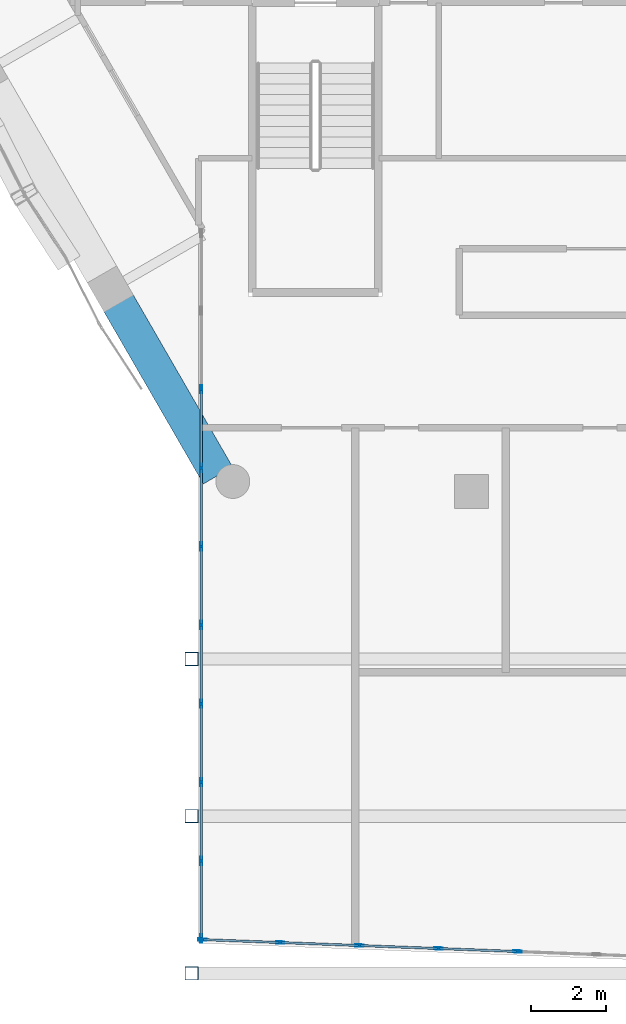
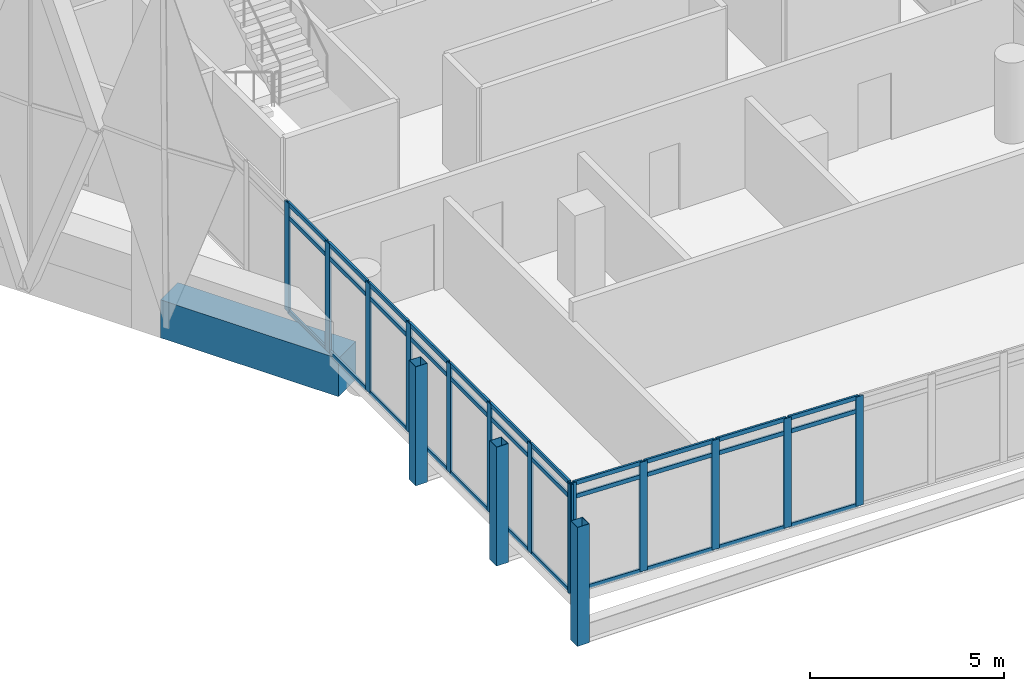
# One storey, part 2 of 37: 49 members, 1 beam, 2 elements without a shape of their own.
"""IFC4 building model written with IfcOpenShell, lengths in metres."""

from ifc_helpers import new_model, si_unit, direction, frame, origin, origin_2d, place, context, subcontext, project, spatial, rectangle, hollow_rectangle, extrude, material, material_profile, profile_set, type_object, element, aggregate, save


model = new_model("IFC4")

# Units and contexts
model_context = context("Model", 3, precision=1e-05, world=origin(), true_north=direction((0.0, 1.0)))
body_context = subcontext(model_context, "Body", "Model", "MODEL_VIEW")
ifc_project = project(units=[si_unit("LENGTHUNIT", "METRE"), si_unit("AREAUNIT", "SQUARE_METRE"), si_unit("VOLUMEUNIT", "CUBIC_METRE"), si_unit("PLANEANGLEUNIT", "RADIAN"), si_unit("MASSUNIT", "GRAM", prefix="KILO")], contexts=[model_context])

# Site, building, storey
site_placement = place(None, origin())
site = spatial("IfcSite", under=ifc_project, at=site_placement, CompositionType="ELEMENT")
building_placement = place(site_placement, origin())
building = spatial("IfcBuilding", under=site, at=building_placement, Name="Ostrander Bayou Hotel Tower", CompositionType="ELEMENT")
storey_placement = place(building_placement, frame((0.0, 0.0, 225.75)))
storey = spatial("IfcBuildingStorey", under=building, at=storey_placement, Name="L56", CompositionType="ELEMENT", Elevation=225.75)

# Curtain wall, members
ifc_material_1 = material(Name="Aluminium and clear glass", Category="aluminium")
curtain_wall_type = type_object("IfcCurtainWallType", Name="CW-BAR glazed wall", PredefinedType="NOTDEFINED", material=ifc_material_1)
curtain_wall_1_placement = place(storey_placement, origin())
curtain_wall_1 = element("IfcCurtainWall", 1, at=curtain_wall_1_placement, inside=storey, type_object=curtain_wall_type, Name="CW-BAR L56:SB5S:E", PredefinedType="NOTDEFINED")
ifc_material_2 = material(Name="Aluminium", Category="aluminium")
ifc_material_profile_1 = material_profile(ifc_material_2, hollow_rectangle(XDim=0.06005859375, YDim=0.219970703125, WallThickness=0.00390625, at=origin_2d()))
ifc_profile_set_1 = profile_set([ifc_material_profile_1], Name="Aluminium")
member_type_1 = type_object("IfcMemberType", Name="CW-BR mullion 60 x 220 mm", PredefinedType="MULLION", material=ifc_profile_set_1)
member_1_placement = place(storey_placement, frame((-10.51220703125, -13.972412109375, 0.0), z_axis=(0.0, 0.0, 1.0), x_axis=(1.0, 0.0, 0.0)))
member_1 = element("IfcMember", 2, at=member_1_placement, type_object=member_type_1, Name="CW-BAR mullion 3", PredefinedType="MULLION", context=body_context, shape_type="SweptSolid", body=[
    extrude(hollow_rectangle(XDim=0.06005859375, YDim=0.219970703125, WallThickness=0.00390625, at=origin_2d()), origin(), (0.0, 0.0, 1.0), 3.449951171875),
])
member_2_placement = place(storey_placement, frame((-10.51220703125, -16.0625, 0.0), z_axis=(0.0, 0.0, 1.0), x_axis=(1.0, 0.0, 0.0)))
member_2 = element("IfcMember", 3, at=member_2_placement, type_object=member_type_1, Name="CW-BAR mullion 4", PredefinedType="MULLION", context=body_context, shape_type="SweptSolid", body=[
    extrude(hollow_rectangle(XDim=0.06005859375, YDim=0.219970703125, WallThickness=0.00390625, at=origin_2d()), origin(), (0.0, 0.0, 1.0), 3.449951171875),
])
member_3_placement = place(storey_placement, frame((-10.51220703125, -18.152587890625, 0.0), z_axis=(0.0, 0.0, 1.0), x_axis=(1.0, 0.0, 0.0)))
member_3 = element("IfcMember", 4, at=member_3_placement, type_object=member_type_1, Name="CW-BAR mullion 5", PredefinedType="MULLION", context=body_context, shape_type="SweptSolid", body=[
    extrude(hollow_rectangle(XDim=0.06005859375, YDim=0.219970703125, WallThickness=0.00390625, at=origin_2d()), origin(), (0.0, 0.0, 1.0), 3.449951171875),
])
member_4_placement = place(storey_placement, frame((-10.51220703125, -20.24267578125, 0.0), z_axis=(0.0, 0.0, 1.0), x_axis=(1.0, 0.0, 0.0)))
member_4 = element("IfcMember", 5, at=member_4_placement, type_object=member_type_1, Name="CW-BAR mullion 6", PredefinedType="MULLION", context=body_context, shape_type="SweptSolid", body=[
    extrude(hollow_rectangle(XDim=0.06005859375, YDim=0.219970703125, WallThickness=0.00390625, at=origin_2d()), origin(), (0.0, 0.0, 1.0), 3.449951171875),
])
member_5_placement = place(storey_placement, frame((-10.51220703125, -22.33251953125, 0.0), z_axis=(0.0, 0.0, 1.0), x_axis=(1.0, 0.0, 0.0)))
member_5 = element("IfcMember", 6, at=member_5_placement, type_object=member_type_1, Name="CW-BAR mullion 7", PredefinedType="MULLION", context=body_context, shape_type="SweptSolid", body=[
    extrude(hollow_rectangle(XDim=0.06005859375, YDim=0.219970703125, WallThickness=0.00390625, at=origin_2d()), origin(), (0.0, 0.0, 1.0), 3.449951171875),
])
member_6_placement = place(storey_placement, frame((-10.51220703125, -24.422607421875, 0.0), z_axis=(0.0, 0.0, 1.0), x_axis=(1.0, 0.0, 0.0)))
member_6 = element("IfcMember", 7, at=member_6_placement, type_object=member_type_1, Name="CW-BAR mullion 8", PredefinedType="MULLION", context=body_context, shape_type="SweptSolid", body=[
    extrude(hollow_rectangle(XDim=0.06005859375, YDim=0.219970703125, WallThickness=0.00390625, at=origin_2d()), origin(), (0.0, 0.0, 1.0), 3.449951171875),
])
member_7_placement = place(storey_placement, frame((-10.51220703125, -26.5126953125, 0.0), z_axis=(0.0, 0.0, 1.0), x_axis=(1.0, 0.0, 0.0)))
member_7 = element("IfcMember", 8, at=member_7_placement, type_object=member_type_1, Name="CW-BAR mullion 9", PredefinedType="MULLION", context=body_context, shape_type="SweptSolid", body=[
    extrude(hollow_rectangle(XDim=0.06005859375, YDim=0.219970703125, WallThickness=0.00390625, at=origin_2d()), origin(), (0.0, 0.0, 1.0), 3.449951171875),
])
member_8_placement = place(storey_placement, frame((-10.51220703125, -28.57275390625, 0.0), z_axis=(0.0, 0.0, 1.0), x_axis=(1.0, 0.0, 0.0)))
member_8 = element("IfcMember", 9, at=member_8_placement, type_object=member_type_1, Name="CW-BAR mullion 10", PredefinedType="MULLION", context=body_context, shape_type="SweptSolid", body=[
    extrude(hollow_rectangle(XDim=0.06005859375, YDim=0.219970703125, WallThickness=0.00390625, at=origin_2d()), origin(), (0.0, 0.0, 1.0), 3.449951171875),
])

curtain_wall_2_placement = place(storey_placement, origin())
curtain_wall_2 = element("IfcCurtainWall", 10, at=curtain_wall_2_placement, inside=storey, type_object=curtain_wall_type, Name="CW-BAR L56:SB5S:T", PredefinedType="NOTDEFINED")
member_9_placement = place(storey_placement, frame((-10.482177734375, -28.60400390625, 0.0), z_axis=(0.0, 0.0, 1.0), x_axis=(0.037757725854, 0.99928692283, 0.0)))
member_9 = element("IfcMember", 11, at=member_9_placement, type_object=member_type_1, Name="CW-BAR mullion 1", PredefinedType="MULLION", context=body_context, shape_type="SweptSolid", body=[
    extrude(hollow_rectangle(XDim=0.06005859375, YDim=0.219970703125, WallThickness=0.00390625, at=origin_2d()), origin(), (0.0, 0.0, 1.0), 3.449951171875),
])
member_10_placement = place(storey_placement, frame((-8.40966796875, -28.68212890625, 0.0), z_axis=(0.0, 0.0, 1.0), x_axis=(0.037757725854, 0.99928692283, 0.0)))
member_10 = element("IfcMember", 12, at=member_10_placement, type_object=member_type_1, Name="CW-BAR mullion 2", PredefinedType="MULLION", context=body_context, shape_type="SweptSolid", body=[
    extrude(hollow_rectangle(XDim=0.06005859375, YDim=0.219970703125, WallThickness=0.00390625, at=origin_2d()), origin(), (0.0, 0.0, 1.0), 3.449951171875),
])
member_11_placement = place(storey_placement, frame((-6.307373046875, -28.76171875, 0.0), z_axis=(0.0, 0.0, 1.0), x_axis=(0.037757725854, 0.99928692283, 0.0)))
member_11 = element("IfcMember", 13, at=member_11_placement, type_object=member_type_1, Name="CW-BAR mullion 3", PredefinedType="MULLION", context=body_context, shape_type="SweptSolid", body=[
    extrude(hollow_rectangle(XDim=0.06005859375, YDim=0.219970703125, WallThickness=0.00390625, at=origin_2d()), origin(), (0.0, 0.0, 1.0), 3.449951171875),
])
member_12_placement = place(storey_placement, frame((-4.204833984375, -28.841064453125, 0.0), z_axis=(0.0, 0.0, 1.0), x_axis=(0.037757725854, 0.99928692283, 0.0)))
member_12 = element("IfcMember", 14, at=member_12_placement, type_object=member_type_1, Name="CW-BAR mullion 4", PredefinedType="MULLION", context=body_context, shape_type="SweptSolid", body=[
    extrude(hollow_rectangle(XDim=0.06005859375, YDim=0.219970703125, WallThickness=0.00390625, at=origin_2d()), origin(), (0.0, 0.0, 1.0), 3.449951171875),
])
member_13_placement = place(storey_placement, frame((-2.1025390625, -28.920654296875, 0.0), z_axis=(0.0, 0.0, 1.0), x_axis=(0.037757725854, 0.99928692283, 0.0)))
member_13 = element("IfcMember", 15, at=member_13_placement, type_object=member_type_1, Name="CW-BAR mullion 5", PredefinedType="MULLION", context=body_context, shape_type="SweptSolid", body=[
    extrude(hollow_rectangle(XDim=0.06005859375, YDim=0.219970703125, WallThickness=0.00390625, at=origin_2d()), origin(), (0.0, 0.0, 1.0), 3.449951171875),
])

# Member
ifc_material_3 = material(Name="Aluminium", Category="aluminium")
ifc_material_profile_2 = material_profile(ifc_material_3, hollow_rectangle(XDim=0.06005859375, YDim=0.1298828125, WallThickness=0.00390625, at=origin_2d()))
ifc_profile_set_2 = profile_set([ifc_material_profile_2], Name="Aluminium")
member_type_2 = type_object("IfcMemberType", Name="CW-BR transom 60 x 130 mm", PredefinedType="USERDEFINED", material=ifc_profile_set_2)
member_14_placement = place(storey_placement, frame((-10.51220703125, -14.00244140625, 0.030029296875), z_axis=(0.0, -1.0, 0.0), x_axis=(1.0, 0.0, 0.0)))
member_14 = element("IfcMember", 16, at=member_14_placement, type_object=member_type_2, Name="CW-BAR transom 3.1", ObjectType="TRANSOM", PredefinedType="USERDEFINED", context=body_context, shape_type="SweptSolid", body=[
    extrude(hollow_rectangle(XDim=0.06005859375, YDim=0.1298828125, WallThickness=0.00390625, at=origin_2d()), origin(), (0.0, 0.0, 1.0), 2.030029296875),
])

member_15_placement = place(storey_placement, frame((-10.51220703125, -14.00244140625, 3.0), z_axis=(0.0, -1.0, 0.0), x_axis=(1.0, 0.0, 0.0)))
member_15 = element("IfcMember", 17, at=member_15_placement, type_object=member_type_2, Name="CW-BAR transom 3.2", ObjectType="TRANSOM", PredefinedType="USERDEFINED", context=body_context, shape_type="SweptSolid", body=[
    extrude(hollow_rectangle(XDim=0.06005859375, YDim=0.1298828125, WallThickness=0.00390625, at=origin_2d()), origin(), (0.0, 0.0, 1.0), 2.030029296875),
])

member_16_placement = place(storey_placement, frame((-10.51220703125, -14.00244140625, 3.419921875), z_axis=(0.0, -1.0, 0.0), x_axis=(1.0, 0.0, 0.0)))
member_16 = element("IfcMember", 18, at=member_16_placement, type_object=member_type_2, Name="CW-BAR transom 3.3", ObjectType="TRANSOM", PredefinedType="USERDEFINED", context=body_context, shape_type="SweptSolid", body=[
    extrude(hollow_rectangle(XDim=0.06005859375, YDim=0.1298828125, WallThickness=0.00390625, at=origin_2d()), origin(), (0.0, 0.0, 1.0), 2.030029296875),
])

member_17_placement = place(storey_placement, frame((-10.51220703125, -16.092529296875, 0.030029296875), z_axis=(0.0, -1.0, 0.0), x_axis=(1.0, 0.0, 0.0)))
member_17 = element("IfcMember", 19, at=member_17_placement, type_object=member_type_2, Name="CW-BAR transom 4.1", ObjectType="TRANSOM", PredefinedType="USERDEFINED", context=body_context, shape_type="SweptSolid", body=[
    extrude(hollow_rectangle(XDim=0.06005859375, YDim=0.1298828125, WallThickness=0.00390625, at=origin_2d()), origin(), (0.0, 0.0, 1.0), 2.030029296875),
])

member_18_placement = place(storey_placement, frame((-10.51220703125, -16.092529296875, 3.0), z_axis=(0.0, -1.0, 0.0), x_axis=(1.0, 0.0, 0.0)))
member_18 = element("IfcMember", 20, at=member_18_placement, type_object=member_type_2, Name="CW-BAR transom 4.2", ObjectType="TRANSOM", PredefinedType="USERDEFINED", context=body_context, shape_type="SweptSolid", body=[
    extrude(hollow_rectangle(XDim=0.06005859375, YDim=0.1298828125, WallThickness=0.00390625, at=origin_2d()), origin(), (0.0, 0.0, 1.0), 2.030029296875),
])

member_19_placement = place(storey_placement, frame((-10.51220703125, -16.092529296875, 3.419921875), z_axis=(0.0, -1.0, 0.0), x_axis=(1.0, 0.0, 0.0)))
member_19 = element("IfcMember", 21, at=member_19_placement, type_object=member_type_2, Name="CW-BAR transom 4.3", ObjectType="TRANSOM", PredefinedType="USERDEFINED", context=body_context, shape_type="SweptSolid", body=[
    extrude(hollow_rectangle(XDim=0.06005859375, YDim=0.1298828125, WallThickness=0.00390625, at=origin_2d()), origin(), (0.0, 0.0, 1.0), 2.030029296875),
])

member_20_placement = place(storey_placement, frame((-10.51220703125, -18.1826171875, 0.030029296875), z_axis=(0.0, -1.0, 0.0), x_axis=(1.0, 0.0, 0.0)))
member_20 = element("IfcMember", 22, at=member_20_placement, type_object=member_type_2, Name="CW-BAR transom 5.1", ObjectType="TRANSOM", PredefinedType="USERDEFINED", context=body_context, shape_type="SweptSolid", body=[
    extrude(hollow_rectangle(XDim=0.06005859375, YDim=0.1298828125, WallThickness=0.00390625, at=origin_2d()), origin(), (0.0, 0.0, 1.0), 2.030029296875),
])

member_21_placement = place(storey_placement, frame((-10.51220703125, -18.1826171875, 3.0), z_axis=(0.0, -1.0, 0.0), x_axis=(1.0, 0.0, 0.0)))
member_21 = element("IfcMember", 23, at=member_21_placement, type_object=member_type_2, Name="CW-BAR transom 5.2", ObjectType="TRANSOM", PredefinedType="USERDEFINED", context=body_context, shape_type="SweptSolid", body=[
    extrude(hollow_rectangle(XDim=0.06005859375, YDim=0.1298828125, WallThickness=0.00390625, at=origin_2d()), origin(), (0.0, 0.0, 1.0), 2.030029296875),
])

member_22_placement = place(storey_placement, frame((-10.51220703125, -18.1826171875, 3.419921875), z_axis=(0.0, -1.0, 0.0), x_axis=(1.0, 0.0, 0.0)))
member_22 = element("IfcMember", 24, at=member_22_placement, type_object=member_type_2, Name="CW-BAR transom 5.3", ObjectType="TRANSOM", PredefinedType="USERDEFINED", context=body_context, shape_type="SweptSolid", body=[
    extrude(hollow_rectangle(XDim=0.06005859375, YDim=0.1298828125, WallThickness=0.00390625, at=origin_2d()), origin(), (0.0, 0.0, 1.0), 2.030029296875),
])

member_23_placement = place(storey_placement, frame((-10.51220703125, -20.2724609375, 0.030029296875), z_axis=(0.0, -1.0, 0.0), x_axis=(1.0, 0.0, 0.0)))
member_23 = element("IfcMember", 25, at=member_23_placement, type_object=member_type_2, Name="CW-BAR transom 6.1", ObjectType="TRANSOM", PredefinedType="USERDEFINED", context=body_context, shape_type="SweptSolid", body=[
    extrude(hollow_rectangle(XDim=0.06005859375, YDim=0.1298828125, WallThickness=0.00390625, at=origin_2d()), origin(), (0.0, 0.0, 1.0), 2.0302734375),
])

member_24_placement = place(storey_placement, frame((-10.51220703125, -20.2724609375, 3.0), z_axis=(0.0, -1.0, 0.0), x_axis=(1.0, 0.0, 0.0)))
member_24 = element("IfcMember", 26, at=member_24_placement, type_object=member_type_2, Name="CW-BAR transom 6.2", ObjectType="TRANSOM", PredefinedType="USERDEFINED", context=body_context, shape_type="SweptSolid", body=[
    extrude(hollow_rectangle(XDim=0.06005859375, YDim=0.1298828125, WallThickness=0.00390625, at=origin_2d()), origin(), (0.0, 0.0, 1.0), 2.0302734375),
])

member_25_placement = place(storey_placement, frame((-10.51220703125, -20.2724609375, 3.419921875), z_axis=(0.0, -1.0, 0.0), x_axis=(1.0, 0.0, 0.0)))
member_25 = element("IfcMember", 27, at=member_25_placement, type_object=member_type_2, Name="CW-BAR transom 6.3", ObjectType="TRANSOM", PredefinedType="USERDEFINED", context=body_context, shape_type="SweptSolid", body=[
    extrude(hollow_rectangle(XDim=0.06005859375, YDim=0.1298828125, WallThickness=0.00390625, at=origin_2d()), origin(), (0.0, 0.0, 1.0), 2.0302734375),
])

member_26_placement = place(storey_placement, frame((-10.51220703125, -22.362548828125, 0.030029296875), z_axis=(0.0, -1.0, 0.0), x_axis=(1.0, 0.0, 0.0)))
member_26 = element("IfcMember", 28, at=member_26_placement, type_object=member_type_2, Name="CW-BAR transom 7.1", ObjectType="TRANSOM", PredefinedType="USERDEFINED", context=body_context, shape_type="SweptSolid", body=[
    extrude(hollow_rectangle(XDim=0.06005859375, YDim=0.1298828125, WallThickness=0.00390625, at=origin_2d()), origin(), (0.0, 0.0, 1.0), 2.030029296875),
])

member_27_placement = place(storey_placement, frame((-10.51220703125, -22.362548828125, 3.0), z_axis=(0.0, -1.0, 0.0), x_axis=(1.0, 0.0, 0.0)))
member_27 = element("IfcMember", 29, at=member_27_placement, type_object=member_type_2, Name="CW-BAR transom 7.2", ObjectType="TRANSOM", PredefinedType="USERDEFINED", context=body_context, shape_type="SweptSolid", body=[
    extrude(hollow_rectangle(XDim=0.06005859375, YDim=0.1298828125, WallThickness=0.00390625, at=origin_2d()), origin(), (0.0, 0.0, 1.0), 2.030029296875),
])

member_28_placement = place(storey_placement, frame((-10.51220703125, -22.362548828125, 3.419921875), z_axis=(0.0, -1.0, 0.0), x_axis=(1.0, 0.0, 0.0)))
member_28 = element("IfcMember", 30, at=member_28_placement, type_object=member_type_2, Name="CW-BAR transom 7.3", ObjectType="TRANSOM", PredefinedType="USERDEFINED", context=body_context, shape_type="SweptSolid", body=[
    extrude(hollow_rectangle(XDim=0.06005859375, YDim=0.1298828125, WallThickness=0.00390625, at=origin_2d()), origin(), (0.0, 0.0, 1.0), 2.030029296875),
])

member_29_placement = place(storey_placement, frame((-10.51220703125, -24.45263671875, 0.030029296875), z_axis=(0.0, -1.0, 0.0), x_axis=(1.0, 0.0, 0.0)))
member_29 = element("IfcMember", 31, at=member_29_placement, type_object=member_type_2, Name="CW-BAR transom 8.1", ObjectType="TRANSOM", PredefinedType="USERDEFINED", context=body_context, shape_type="SweptSolid", body=[
    extrude(hollow_rectangle(XDim=0.06005859375, YDim=0.1298828125, WallThickness=0.00390625, at=origin_2d()), origin(), (0.0, 0.0, 1.0), 2.030029296875),
])

member_30_placement = place(storey_placement, frame((-10.51220703125, -24.45263671875, 3.0), z_axis=(0.0, -1.0, 0.0), x_axis=(1.0, 0.0, 0.0)))
member_30 = element("IfcMember", 32, at=member_30_placement, type_object=member_type_2, Name="CW-BAR transom 8.2", ObjectType="TRANSOM", PredefinedType="USERDEFINED", context=body_context, shape_type="SweptSolid", body=[
    extrude(hollow_rectangle(XDim=0.06005859375, YDim=0.1298828125, WallThickness=0.00390625, at=origin_2d()), origin(), (0.0, 0.0, 1.0), 2.030029296875),
])

member_31_placement = place(storey_placement, frame((-10.51220703125, -24.45263671875, 3.419921875), z_axis=(0.0, -1.0, 0.0), x_axis=(1.0, 0.0, 0.0)))
member_31 = element("IfcMember", 33, at=member_31_placement, type_object=member_type_2, Name="CW-BAR transom 8.3", ObjectType="TRANSOM", PredefinedType="USERDEFINED", context=body_context, shape_type="SweptSolid", body=[
    extrude(hollow_rectangle(XDim=0.06005859375, YDim=0.1298828125, WallThickness=0.00390625, at=origin_2d()), origin(), (0.0, 0.0, 1.0), 2.030029296875),
])

member_32_placement = place(storey_placement, frame((-10.51220703125, -26.542724609375, 0.030029296875), z_axis=(0.0, -1.0, 0.0), x_axis=(1.0, 0.0, 0.0)))
member_32 = element("IfcMember", 34, at=member_32_placement, type_object=member_type_2, Name="CW-BAR transom 9.1", ObjectType="TRANSOM", PredefinedType="USERDEFINED", context=body_context, shape_type="SweptSolid", body=[
    extrude(hollow_rectangle(XDim=0.06005859375, YDim=0.1298828125, WallThickness=0.00390625, at=origin_2d()), origin(), (0.0, 0.0, 1.0), 2.0),
])

member_33_placement = place(storey_placement, frame((-10.51220703125, -26.542724609375, 3.0), z_axis=(0.0, -1.0, 0.0), x_axis=(1.0, 0.0, 0.0)))
member_33 = element("IfcMember", 35, at=member_33_placement, type_object=member_type_2, Name="CW-BAR transom 9.2", ObjectType="TRANSOM", PredefinedType="USERDEFINED", context=body_context, shape_type="SweptSolid", body=[
    extrude(hollow_rectangle(XDim=0.06005859375, YDim=0.1298828125, WallThickness=0.00390625, at=origin_2d()), origin(), (0.0, 0.0, 1.0), 2.0),
])

member_34_placement = place(storey_placement, frame((-10.51220703125, -26.542724609375, 3.419921875), z_axis=(0.0, -1.0, 0.0), x_axis=(1.0, 0.0, 0.0)))
member_34 = element("IfcMember", 36, at=member_34_placement, type_object=member_type_2, Name="CW-BAR transom 9.3", ObjectType="TRANSOM", PredefinedType="USERDEFINED", context=body_context, shape_type="SweptSolid", body=[
    extrude(hollow_rectangle(XDim=0.06005859375, YDim=0.1298828125, WallThickness=0.00390625, at=origin_2d()), origin(), (0.0, 0.0, 1.0), 2.0),
])

aggregate(curtain_wall_1, [member_1, member_2, member_3, member_4, member_5, member_6, member_7, member_8, member_14, member_15, member_16, member_17, member_18, member_19, member_20, member_21, member_22, member_23, member_24, member_25, member_26, member_27, member_28, member_29, member_30, member_31, member_32, member_33, member_34])

member_35_placement = place(storey_placement, frame((-10.4521484375, -28.60498046875, 0.030029296875), z_axis=(0.999284446259, -0.0378232133, 0.0), x_axis=(0.0378232133, 0.999284446259, 0.0)))
member_35 = element("IfcMember", 37, at=member_35_placement, type_object=member_type_2, Name="CW-BAR transom 1.1", ObjectType="TRANSOM", PredefinedType="USERDEFINED", context=body_context, shape_type="SweptSolid", body=[
    extrude(hollow_rectangle(XDim=0.06005859375, YDim=0.1298828125, WallThickness=0.00390625, at=origin_2d()), origin(), (0.0, 0.0, 1.0), 2.013916015625),
])

member_36_placement = place(storey_placement, frame((-10.4521484375, -28.60498046875, 3.0), z_axis=(0.999284446259, -0.0378232133, 0.0), x_axis=(0.0378232133, 0.999284446259, 0.0)))
member_36 = element("IfcMember", 38, at=member_36_placement, type_object=member_type_2, Name="CW-BAR transom 1.2", ObjectType="TRANSOM", PredefinedType="USERDEFINED", context=body_context, shape_type="SweptSolid", body=[
    extrude(hollow_rectangle(XDim=0.06005859375, YDim=0.1298828125, WallThickness=0.00390625, at=origin_2d()), origin(), (0.0, 0.0, 1.0), 2.013916015625),
])

member_37_placement = place(storey_placement, frame((-10.4521484375, -28.60498046875, 3.419921875), z_axis=(0.999284446259, -0.0378232133, 0.0), x_axis=(0.0378232133, 0.999284446259, 0.0)))
member_37 = element("IfcMember", 39, at=member_37_placement, type_object=member_type_2, Name="CW-BAR transom 1.3", ObjectType="TRANSOM", PredefinedType="USERDEFINED", context=body_context, shape_type="SweptSolid", body=[
    extrude(hollow_rectangle(XDim=0.06005859375, YDim=0.1298828125, WallThickness=0.00390625, at=origin_2d()), origin(), (0.0, 0.0, 1.0), 2.013916015625),
])

member_38_placement = place(storey_placement, frame((-8.3798828125, -28.683349609375, 0.030029296875), z_axis=(0.999287402917, -0.037745017849, 0.0), x_axis=(0.037745017849, 0.999287402917, 0.0)))
member_38 = element("IfcMember", 40, at=member_38_placement, type_object=member_type_2, Name="CW-BAR transom 2.1", ObjectType="TRANSOM", PredefinedType="USERDEFINED", context=body_context, shape_type="SweptSolid", body=[
    extrude(hollow_rectangle(XDim=0.06005859375, YDim=0.1298828125, WallThickness=0.00390625, at=origin_2d()), origin(), (0.0, 0.0, 1.0), 2.0439453125),
])

member_39_placement = place(storey_placement, frame((-8.3798828125, -28.683349609375, 3.0), z_axis=(0.999287402917, -0.037745017849, 0.0), x_axis=(0.037745017849, 0.999287402917, 0.0)))
member_39 = element("IfcMember", 41, at=member_39_placement, type_object=member_type_2, Name="CW-BAR transom 2.2", ObjectType="TRANSOM", PredefinedType="USERDEFINED", context=body_context, shape_type="SweptSolid", body=[
    extrude(hollow_rectangle(XDim=0.06005859375, YDim=0.1298828125, WallThickness=0.00390625, at=origin_2d()), origin(), (0.0, 0.0, 1.0), 2.0439453125),
])

member_40_placement = place(storey_placement, frame((-8.3798828125, -28.683349609375, 3.419921875), z_axis=(0.999287402917, -0.037745017849, 0.0), x_axis=(0.037745017849, 0.999287402917, 0.0)))
member_40 = element("IfcMember", 42, at=member_40_placement, type_object=member_type_2, Name="CW-BAR transom 2.3", ObjectType="TRANSOM", PredefinedType="USERDEFINED", context=body_context, shape_type="SweptSolid", body=[
    extrude(hollow_rectangle(XDim=0.06005859375, YDim=0.1298828125, WallThickness=0.00390625, at=origin_2d()), origin(), (0.0, 0.0, 1.0), 2.0439453125),
])

member_41_placement = place(storey_placement, frame((-6.27734375, -28.7626953125, 0.030029296875), z_axis=(0.99928289053, -0.037864293127, 0.0), x_axis=(0.037864293127, 0.99928289053, 0.0)))
member_41 = element("IfcMember", 43, at=member_41_placement, type_object=member_type_2, Name="CW-BAR transom 3.1", ObjectType="TRANSOM", PredefinedType="USERDEFINED", context=body_context, shape_type="SweptSolid", body=[
    extrude(hollow_rectangle(XDim=0.06005859375, YDim=0.1298828125, WallThickness=0.00390625, at=origin_2d()), origin(), (0.0, 0.0, 1.0), 2.0439453125),
])

member_42_placement = place(storey_placement, frame((-6.27734375, -28.7626953125, 3.0), z_axis=(0.99928289053, -0.037864293127, 0.0), x_axis=(0.037864293127, 0.99928289053, 0.0)))
member_42 = element("IfcMember", 44, at=member_42_placement, type_object=member_type_2, Name="CW-BAR transom 3.2", ObjectType="TRANSOM", PredefinedType="USERDEFINED", context=body_context, shape_type="SweptSolid", body=[
    extrude(hollow_rectangle(XDim=0.06005859375, YDim=0.1298828125, WallThickness=0.00390625, at=origin_2d()), origin(), (0.0, 0.0, 1.0), 2.0439453125),
])

member_43_placement = place(storey_placement, frame((-6.27734375, -28.7626953125, 3.419921875), z_axis=(0.99928289053, -0.037864293127, 0.0), x_axis=(0.037864293127, 0.99928289053, 0.0)))
member_43 = element("IfcMember", 45, at=member_43_placement, type_object=member_type_2, Name="CW-BAR transom 3.3", ObjectType="TRANSOM", PredefinedType="USERDEFINED", context=body_context, shape_type="SweptSolid", body=[
    extrude(hollow_rectangle(XDim=0.06005859375, YDim=0.1298828125, WallThickness=0.00390625, at=origin_2d()), origin(), (0.0, 0.0, 1.0), 2.0439453125),
])

member_44_placement = place(storey_placement, frame((-4.1748046875, -28.84228515625, 0.030029296875), z_axis=(0.999287402917, -0.037745017849, 0.0), x_axis=(0.037745017849, 0.999287402917, 0.0)))
member_44 = element("IfcMember", 46, at=member_44_placement, type_object=member_type_2, Name="CW-BAR transom 4.1", ObjectType="TRANSOM", PredefinedType="USERDEFINED", context=body_context, shape_type="SweptSolid", body=[
    extrude(hollow_rectangle(XDim=0.06005859375, YDim=0.1298828125, WallThickness=0.00390625, at=origin_2d()), origin(), (0.0, 0.0, 1.0), 2.0439453125),
])

member_45_placement = place(storey_placement, frame((-4.1748046875, -28.84228515625, 3.0), z_axis=(0.999287402917, -0.037745017849, 0.0), x_axis=(0.037745017849, 0.999287402917, 0.0)))
member_45 = element("IfcMember", 47, at=member_45_placement, type_object=member_type_2, Name="CW-BAR transom 4.2", ObjectType="TRANSOM", PredefinedType="USERDEFINED", context=body_context, shape_type="SweptSolid", body=[
    extrude(hollow_rectangle(XDim=0.06005859375, YDim=0.1298828125, WallThickness=0.00390625, at=origin_2d()), origin(), (0.0, 0.0, 1.0), 2.0439453125),
])

member_46_placement = place(storey_placement, frame((-4.1748046875, -28.84228515625, 3.419921875), z_axis=(0.999287402917, -0.037745017849, 0.0), x_axis=(0.037745017849, 0.999287402917, 0.0)))
member_46 = element("IfcMember", 48, at=member_46_placement, type_object=member_type_2, Name="CW-BAR transom 4.3", ObjectType="TRANSOM", PredefinedType="USERDEFINED", context=body_context, shape_type="SweptSolid", body=[
    extrude(hollow_rectangle(XDim=0.06005859375, YDim=0.1298828125, WallThickness=0.00390625, at=origin_2d()), origin(), (0.0, 0.0, 1.0), 2.0439453125),
])

aggregate(curtain_wall_2, [member_9, member_10, member_11, member_12, member_13, member_35, member_36, member_37, member_38, member_39, member_40, member_41, member_42, member_43, member_44, member_45, member_46])

# Beam
ifc_material_4 = material(Name="Concrete f'c 60 MPa", Category="concrete")
ifc_material_profile_3 = material_profile(ifc_material_4, rectangle(XDim=0.89990234375, YDim=1.199951171875, at=origin_2d()))
ifc_profile_set_3 = profile_set([ifc_material_profile_3], Name="Concrete f'c 60 MPa")
beam_type = type_object("IfcBeamType", Name="SP4 spandrel beam 900 x 1200 mm f'c 60 MPa", PredefinedType="SPANDREL", material=ifc_profile_set_3)
beam_placement = place(storey_placement, frame((-12.7177734375, -11.672119140625, -0.60009765625), z_axis=(0.500001430823, -0.866024577697, 0.0), x_axis=(0.866024577697, 0.500001430823, 0.0)))
element("IfcBeam", 49, at=beam_placement, inside=storey, type_object=beam_type, Name="SP4 L56 SW-3", PredefinedType="SPANDREL", context=body_context, shape_type="SweptSolid", body=[
    extrude(rectangle(XDim=0.89990234375, YDim=1.199951171875, at=origin_2d()), origin(), (0.0, 0.0, 1.0), 5.302734375),
])

# Members
ifc_material_5 = material(Name="Steel ASTM A500 Gr C", Category="steel")
ifc_material_profile_4 = material_profile(ifc_material_5, hollow_rectangle(XDim=0.355712890625, YDim=0.355712890625, WallThickness=0.01171875, at=origin_2d()))
ifc_profile_set_4 = profile_set([ifc_material_profile_4], Name="Steel ASTM A500 Gr C")
member_type_3 = type_object("IfcMemberType", Name="TH2 bar hanger HSS14x14x1/2", PredefinedType="POST", material=ifc_profile_set_4)
for number, where, z_axis, x_axis, name in (
    (50, (-10.764892578125, -21.147705078125, -0.9111328125), (0.0, 0.0, 1.0), (1.0, 0.0, 0.0), "TH2 SB5SA H1-2"),
    (51, (-10.764892578125, -25.32373046875, -0.9111328125), (0.0, 0.0, 1.0), (1.0, 0.0, 0.0), "TH2 SB5SA H2-2"),
    (52, (-10.764892578125, -29.5, -0.9111328125), (0.0, 0.0, 1.0), (1.0, 0.0, 0.0), "TH2 SB5SA H3-2"),
):
    element("IfcMember", number, at=place(storey_placement, frame(where, z_axis=z_axis, x_axis=x_axis)), inside=storey, type_object=member_type_3, Name=name, PredefinedType="POST", context=body_context, shape_type="SweptSolid", body=[
        extrude(hollow_rectangle(XDim=0.355712890625, YDim=0.355712890625, WallThickness=0.01171875, at=origin_2d()), origin(), (0.0, 0.0, 1.0), 3.75),
    ])

save(model, "model.ifc")
